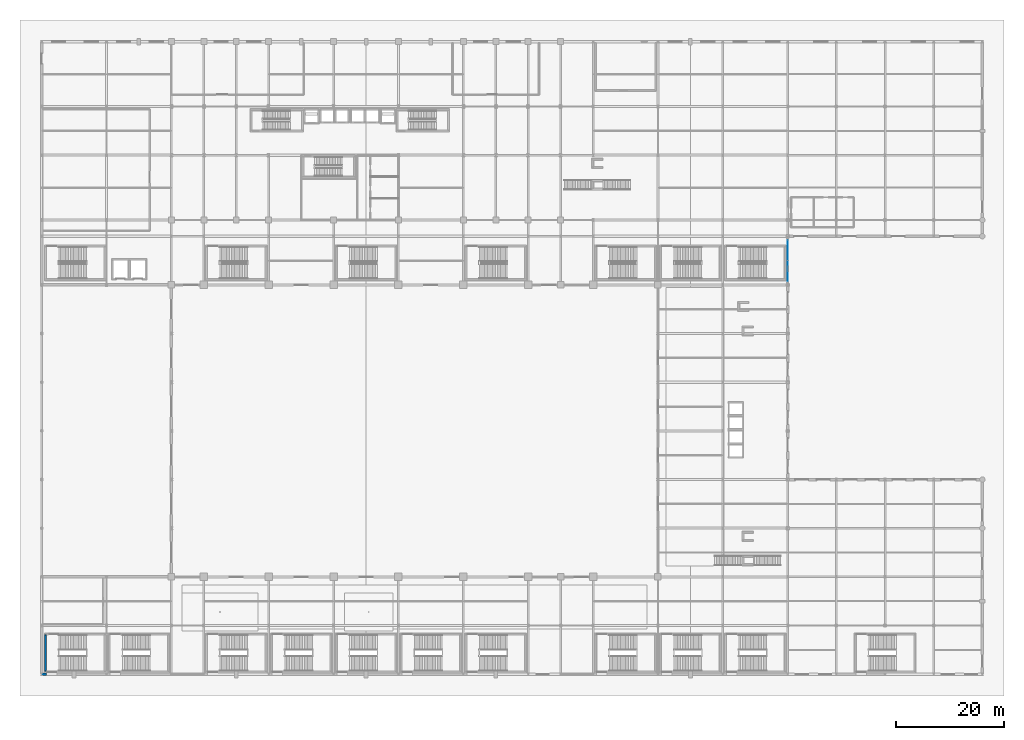
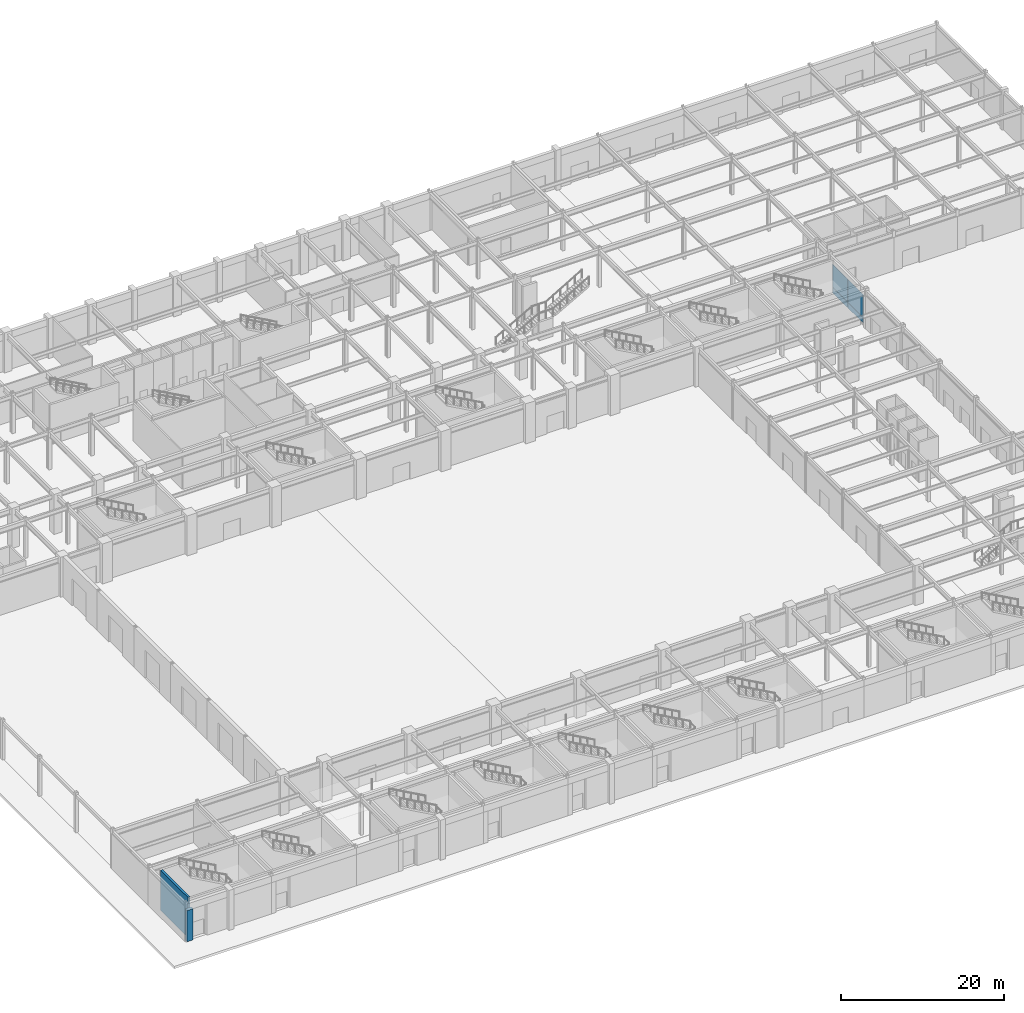
# One storey, part 20 of 44: 4 plates, 2 walls, 1 element without a shape of its own.
"""IFC4 building model written with IfcOpenShell, lengths in metres."""

from ifc_helpers import new_model, si_unit, direction, frame, frame_2d, origin, origin_with_axes, origin_2d, place, context, subcontext, project, spatial, rectangle, extrude, material, layer, layer_set, type_object, element, aggregate, save


model = new_model("IFC4")

# Units and contexts
model_context = context("Model", 3, precision=1e-05, world=origin(), true_north=direction((0.0, 1.0)))
body_context = subcontext(model_context, "Body", "Model", "MODEL_VIEW")
ifc_project = project(units=[si_unit("LENGTHUNIT", "METRE"), si_unit("AREAUNIT", "SQUARE_METRE"), si_unit("VOLUMEUNIT", "CUBIC_METRE"), si_unit("PLANEANGLEUNIT", "RADIAN"), si_unit("MASSUNIT", "GRAM", prefix="KILO")], contexts=[model_context])

# Site, building, storey
site_placement = place(None, origin())
site = spatial("IfcSite", under=ifc_project, at=site_placement, CompositionType="ELEMENT")
building_placement = place(site_placement, origin())
building = spatial("IfcBuilding", under=site, at=building_placement, Name="Kaldorvane Square Convention Centre", CompositionType="ELEMENT")
storey_placement = place(building_placement, origin())
storey = spatial("IfcBuildingStorey", under=building, at=storey_placement, Name="L00", CompositionType="ELEMENT", Elevation=0.0)

# Curtain wall, plates
ifc_material_1 = material(Name="Anodized Aluminum and Low-E Insulated Glazing", Category="aluminium")
curtain_wall_type = type_object("IfcCurtainWallType", Name="CW-PTS-FC-60", PredefinedType="USERDEFINED", material=ifc_material_1)
curtain_wall_placement = place(storey_placement, origin())
curtain_wall = element("IfcCurtainWall", 1, at=curtain_wall_placement, inside=storey, type_object=curtain_wall_type, Name="Curtain Wall CW-07 (L00)", ObjectType="POINT SUPPORTED GLAZING", PredefinedType="USERDEFINED")
ifc_layer_1 = layer(ifc_material_1, 0.0399932861328125)
ifc_layer_set_1 = layer_set([ifc_layer_1], Name="Anodized Aluminum and Low-E Insulated Glazing")
plate_type = type_object("IfcPlateType", Name="CW-PNL-07", PredefinedType="CURTAIN_PANEL", material=ifc_layer_set_1)
plate_1_placement = place(storey_placement, frame((138.0, 74.59375, 0.214996337890625), z_axis=(0.0, 0.0, 1.0), x_axis=(0.0, 1.0, 0.0)))
plate_1 = element("IfcPlate", 2, at=plate_1_placement, type_object=plate_type, Name="CW-07 panel 1.1", PredefinedType="CURTAIN_PANEL", context=body_context, shape_type="SweptSolid", body=[
    extrude(rectangle(XDim=3.7375030517578125, YDim=0.0399932861328125, at=origin_2d()), origin(), (0.0, 0.0, 1.0), 0.8025054931640625),
])
plate_2_placement = place(storey_placement, frame((138.0, 74.59375, 1.0825042724609375), z_axis=(0.0, 0.0, 1.0), x_axis=(0.0, 1.0, 0.0)))
plate_2 = element("IfcPlate", 3, at=plate_2_placement, type_object=plate_type, Name="CW-07 panel 1.2", PredefinedType="CURTAIN_PANEL", context=body_context, shape_type="SweptSolid", body=[
    extrude(rectangle(XDim=3.7375030517578125, YDim=0.0399932861328125, at=origin_2d()), origin(), (0.0, 0.0, 1.0), 3.412506103515625),
])
plate_3_placement = place(storey_placement, frame((138.0, 78.40625, 0.214996337890625), z_axis=(0.0, 0.0, 1.0), x_axis=(0.0, 1.0, 0.0)))
plate_3 = element("IfcPlate", 4, at=plate_3_placement, type_object=plate_type, Name="CW-07 panel 2.1", PredefinedType="CURTAIN_PANEL", context=body_context, shape_type="SweptSolid", body=[
    extrude(rectangle(XDim=3.7375030517578125, YDim=0.0399932861328125, at=origin_2d()), origin(), (0.0, 0.0, 1.0), 0.8025054931640625),
])
plate_4_placement = place(storey_placement, frame((138.0, 78.40625, 1.0825042724609375), z_axis=(0.0, 0.0, 1.0), x_axis=(0.0, 1.0, 0.0)))
plate_4 = element("IfcPlate", 5, at=plate_4_placement, type_object=plate_type, Name="CW-07 panel 2.2", PredefinedType="CURTAIN_PANEL", context=body_context, shape_type="SweptSolid", body=[
    extrude(rectangle(XDim=3.7375030517578125, YDim=0.0399932861328125, at=origin_2d()), origin(), (0.0, 0.0, 1.0), 3.412506103515625),
])
aggregate(curtain_wall, [plate_1, plate_2, plate_3, plate_4])

# Walls
ifc_material_2 = material(Name="Concrete f'c = 42 MPa (Normalweight)", Category="concrete")
ifc_layer_2 = layer(ifc_material_2, 0.4499969482421875)
ifc_layer_set_2 = layer_set([ifc_layer_2], Name="Concrete f'c = 42 MPa (Normalweight)")
wall_type_1 = type_object("IfcWallType", Name="WL-EXT-450", PredefinedType="STANDARD", material=ifc_layer_set_2)
wall_1_placement = place(storey_placement, origin_with_axes())
element("IfcWall", 6, at=wall_1_placement, inside=storey, type_object=wall_type_1, Name="South Square Brutalist Facade Wall (L00)", PredefinedType="STANDARD", context=body_context, shape_type="SweptSolid", body=[
    extrude(rectangle(XDim=0.8600006103515625, YDim=0.4499969482421875, at=frame_2d((0.42999267578125, 0.0))), origin(), (0.0, 0.0, 1.0), 4.675994873046875),
])
ifc_material_3 = material(Name="Concrete f'c = 55 MPa (Normalweight)", Category="concrete")
ifc_layer_3 = layer(ifc_material_3, 0.3000030517578125)
ifc_layer_set_3 = layer_set([ifc_layer_3], Name="Concrete f'c = 55 MPa (Normalweight)")
wall_type_2 = type_object("IfcWallType", Name="WL-SHAFT-300", PredefinedType="SHEAR", material=ifc_layer_set_3)
wall_2_placement = place(storey_placement, frame((0.7100067138671875, 7.2599945068359375, 0.0), z_axis=(0.0, 0.0, 1.0), x_axis=(0.0, -1.0, 0.0)))
element("IfcWall", 7, at=wall_2_placement, inside=storey, type_object=wall_type_2, Name="Core Enclosure Wall stair:ST-C1-W (L00)", PredefinedType="SHEAR", context=body_context, shape_type="SweptSolid", body=[
    extrude(rectangle(XDim=6.709991455078125, YDim=0.3000030517578125, at=frame_2d((3.3549957275390625, 0.0))), origin(), (0.0, 0.0, 1.0), 6.0),
])

save(model, "model.ifc")
